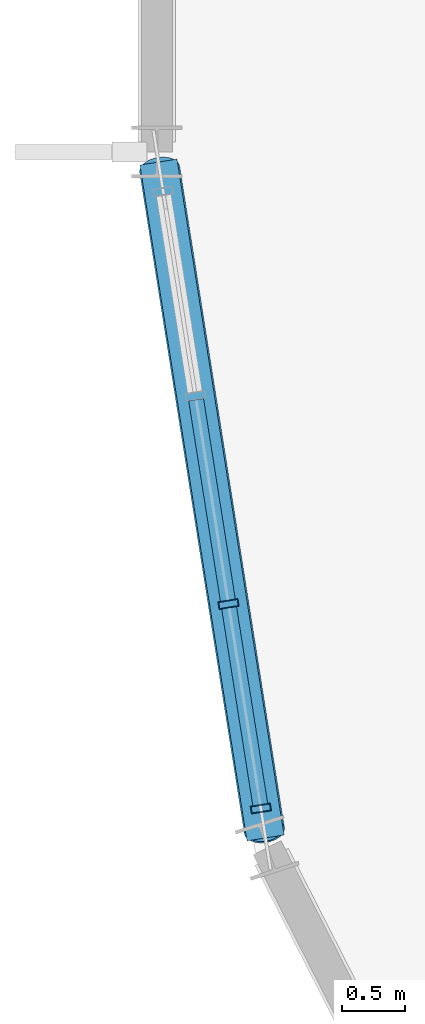
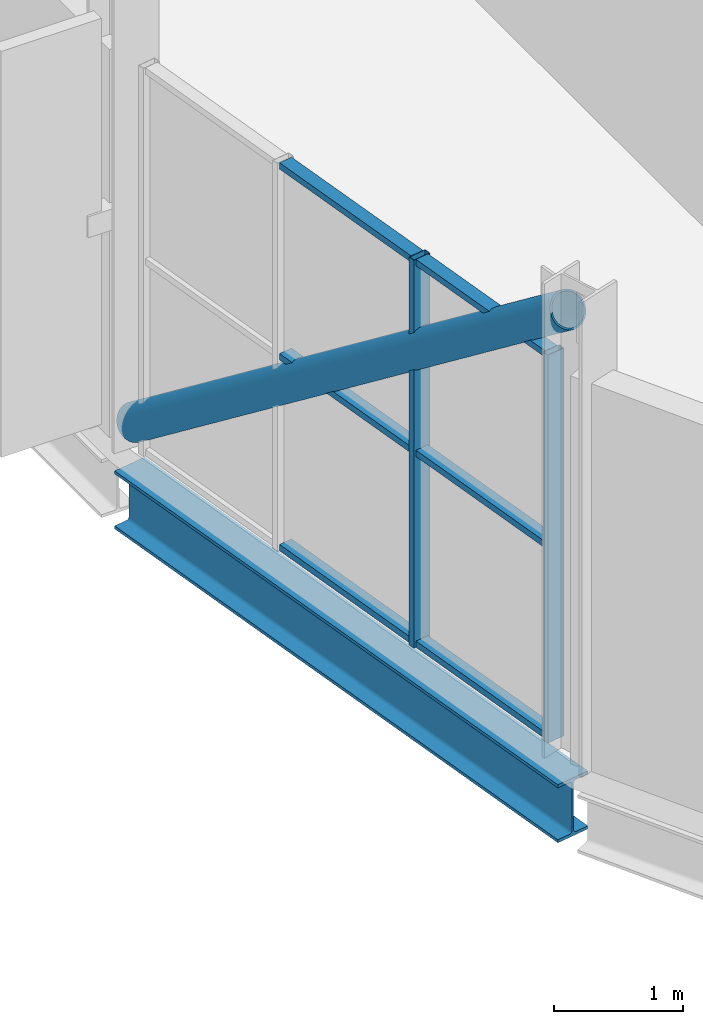
# One storey, part 4 of 22: 9 members, 1 beam, 1 element without a shape of its own.
"""IFC4 building model written with IfcOpenShell, lengths in metres."""

from ifc_helpers import new_model, si_unit, direction, frame, origin, origin_2d, place, context, subcontext, project, spatial, hollow_rectangle, hollow_circle, i_section, extrude, material, layer, layer_set, material_profile, profile_set, type_object, element, aggregate, save


model = new_model("IFC4")

# Units and contexts
model_context = context("Model", 3, precision=1e-05, world=origin(), true_north=direction((0.0, 1.0)))
body_context = subcontext(model_context, "Body", "Model", "MODEL_VIEW")
ifc_project = project(units=[si_unit("LENGTHUNIT", "METRE"), si_unit("AREAUNIT", "SQUARE_METRE"), si_unit("VOLUMEUNIT", "CUBIC_METRE"), si_unit("PLANEANGLEUNIT", "RADIAN"), si_unit("MASSUNIT", "GRAM", prefix="KILO")], contexts=[model_context])

# Site, building, storey
site_placement = place(None, origin())
site = spatial("IfcSite", under=ifc_project, at=site_placement, CompositionType="ELEMENT")
building_placement = place(site_placement, origin())
building = spatial("IfcBuilding", under=site, at=building_placement, Name="Solnavia Interchange Tower", CompositionType="ELEMENT")
storey_placement = place(building_placement, frame((0.0, 0.0, 308.699951171875)))
storey = spatial("IfcBuildingStorey", under=building, at=storey_placement, Name="C02", CompositionType="ELEMENT", Elevation=308.699951171875)

# Curtain wall, members
ifc_material_1 = material(Name="Aluminium Alloy 6063-T6", Category="aluminium")
ifc_layer = layer(ifc_material_1, 0.179931640625)
ifc_layer_set = layer_set([ifc_layer], Name="Aluminium Alloy 6063-T6")
curtain_wall_type = type_object("IfcCurtainWallType", Name="CurtainWall-Crown-CTW6", PredefinedType="NOTDEFINED", material=ifc_layer_set)
curtain_wall_placement = place(storey_placement, origin())
curtain_wall = element("IfcCurtainWall", 1, at=curtain_wall_placement, inside=storey, type_object=curtain_wall_type, Name="CTW-C02-R09 CTW-6 curtain wall", PredefinedType="NOTDEFINED")
ifc_material_profile_1 = material_profile(ifc_material_1, hollow_rectangle(XDim=0.06005859375, YDim=0.159912109375, WallThickness=0.00390625, at=origin_2d()), Name="ALU 160x60x4")
ifc_profile_set_1 = profile_set([ifc_material_profile_1], Name="Aluminium Alloy 6063-T6")
member_type_1 = type_object("IfcMemberType", Name="CW-Mullion-CWM-6", PredefinedType="MULLION", material=ifc_profile_set_1)
member_1_placement = place(storey_placement, frame((7.772216796875, 17.987060546875, 0.0), z_axis=(0.0, 0.0, 1.0), x_axis=(0.156456312485, -0.987684880052, 0.0)))
member_1 = element("IfcMember", 2, at=member_1_placement, type_object=member_type_1, Name="CTW-6 mullion 3", PredefinedType="MULLION", context=body_context, shape_type="SweptSolid", body=[
    extrude(hollow_rectangle(XDim=0.06005859375, YDim=0.159912109375, WallThickness=0.00390625, at=origin_2d()), origin(), (0.0, 0.0, 1.0), 3.679931640625),
])
member_2_placement = place(storey_placement, frame((8.03125, 16.3525390625, 0.0), z_axis=(0.0, 0.0, 1.0), x_axis=(0.156456312485, -0.987684880052, 0.0)))
member_2 = element("IfcMember", 3, at=member_2_placement, type_object=member_type_1, Name="CTW-6 mullion 4", PredefinedType="MULLION", context=body_context, shape_type="SweptSolid", body=[
    extrude(hollow_rectangle(XDim=0.06005859375, YDim=0.159912109375, WallThickness=0.00390625, at=origin_2d()), origin(), (0.0, 0.0, 1.0), 3.679931640625),
])
ifc_material_profile_2 = material_profile(ifc_material_1, hollow_rectangle(XDim=0.06005859375, YDim=0.1201171875, WallThickness=0.00390625, at=origin_2d()), Name="ALU 120x60x4")
ifc_profile_set_2 = profile_set([ifc_material_profile_2], Name="Aluminium Alloy 6063-T6")
member_type_2 = type_object("IfcMemberType", Name="CW-Transom-CWT-6", PredefinedType="USERDEFINED", material=ifc_profile_set_2)
member_3_placement = place(storey_placement, frame((7.513427734375, 19.621337890625, 0.030029296875), z_axis=(0.15642553401, -0.98768975509, 0.0), x_axis=(0.0, 0.0, 1.0)))
member_3 = element("IfcMember", 4, at=member_3_placement, type_object=member_type_2, Name="CTW-6 transom 2.1", ObjectType="TRANSOM", PredefinedType="USERDEFINED", context=body_context, shape_type="SweptSolid", body=[
    extrude(hollow_rectangle(XDim=0.06005859375, YDim=0.1201171875, WallThickness=0.00390625, at=origin_2d()), origin(), (0.0, 0.0, 1.0), 1.624755859375),
])
member_4_placement = place(storey_placement, frame((7.513427734375, 19.621337890625, 1.840087890625), z_axis=(0.15642553401, -0.98768975509, 0.0), x_axis=(0.0, 0.0, 1.0)))
member_4 = element("IfcMember", 5, at=member_4_placement, type_object=member_type_2, Name="CTW-6 transom 2.2", ObjectType="TRANSOM", PredefinedType="USERDEFINED", context=body_context, shape_type="SweptSolid", body=[
    extrude(hollow_rectangle(XDim=0.06005859375, YDim=0.1201171875, WallThickness=0.00390625, at=origin_2d()), origin(), (0.0, 0.0, 1.0), 1.624755859375),
])
member_5_placement = place(storey_placement, frame((7.513427734375, 19.621337890625, 3.650146484375), z_axis=(0.15642553401, -0.98768975509, 0.0), x_axis=(0.0, 0.0, 1.0)))
member_5 = element("IfcMember", 6, at=member_5_placement, type_object=member_type_2, Name="CTW-6 transom 2.3", ObjectType="TRANSOM", PredefinedType="USERDEFINED", context=body_context, shape_type="SweptSolid", body=[
    extrude(hollow_rectangle(XDim=0.06005859375, YDim=0.1201171875, WallThickness=0.00390625, at=origin_2d()), origin(), (0.0, 0.0, 1.0), 1.624755859375),
])
member_6_placement = place(storey_placement, frame((7.777099609375, 17.957275390625, 0.030029296875), z_axis=(0.156449934884, -0.987685890288, 0.0), x_axis=(0.0, 0.0, 1.0)))
member_6 = element("IfcMember", 7, at=member_6_placement, type_object=member_type_2, Name="CTW-6 transom 3.1", ObjectType="TRANSOM", PredefinedType="USERDEFINED", context=body_context, shape_type="SweptSolid", body=[
    extrude(hollow_rectangle(XDim=0.06005859375, YDim=0.1201171875, WallThickness=0.00390625, at=origin_2d()), origin(), (0.0, 0.0, 1.0), 1.5947265625),
])
member_7_placement = place(storey_placement, frame((7.777099609375, 17.957275390625, 1.840087890625), z_axis=(0.156449934884, -0.987685890288, 0.0), x_axis=(0.0, 0.0, 1.0)))
member_7 = element("IfcMember", 8, at=member_7_placement, type_object=member_type_2, Name="CTW-6 transom 3.2", ObjectType="TRANSOM", PredefinedType="USERDEFINED", context=body_context, shape_type="SweptSolid", body=[
    extrude(hollow_rectangle(XDim=0.06005859375, YDim=0.1201171875, WallThickness=0.00390625, at=origin_2d()), origin(), (0.0, 0.0, 1.0), 1.5947265625),
])
member_8_placement = place(storey_placement, frame((7.777099609375, 17.957275390625, 3.650146484375), z_axis=(0.156449934884, -0.987685890288, 0.0), x_axis=(0.0, 0.0, 1.0)))
member_8 = element("IfcMember", 9, at=member_8_placement, type_object=member_type_2, Name="CTW-6 transom 3.3", ObjectType="TRANSOM", PredefinedType="USERDEFINED", context=body_context, shape_type="SweptSolid", body=[
    extrude(hollow_rectangle(XDim=0.06005859375, YDim=0.1201171875, WallThickness=0.00390625, at=origin_2d()), origin(), (0.0, 0.0, 1.0), 1.5947265625),
])
aggregate(curtain_wall, [member_1, member_2, member_3, member_4, member_5, member_6, member_7, member_8])

# Member
ifc_material_2 = material(Name="Steel S355", Category="steel")
ifc_material_profile_3 = material_profile(ifc_material_2, hollow_circle(Radius=0.161865234375, WallThickness=0.01611328125, at=origin_2d()), Name="CHS 323.9x16")
ifc_profile_set_3 = profile_set([ifc_material_profile_3], Name="Steel S355")
member_type_3 = type_object("IfcMemberType", Name="CrownFrame-Brace-CHS323", PredefinedType="BRACE", material=ifc_profile_set_3)
member_9_placement = place(storey_placement, frame((7.221923828125, 21.461669921875, 0.179931640625), z_axis=(0.125525677174, -0.792506673995, 0.596805224544), x_axis=(0.987687387175, 0.156440484578, 0.0)))
element("IfcMember", 10, at=member_9_placement, inside=storey, type_object=member_type_3, Name="BRC-C02-CF09 CROWN FRAME ring brace", PredefinedType="BRACE", context=body_context, shape_type="SweptSolid", body=[
    extrude(hollow_circle(Radius=0.161865234375, WallThickness=0.01611328125, at=origin_2d()), origin(), (0.0, 0.0, 1.0), 6.669189453125),
])

# Beam
ifc_material_3 = material(Name="Steel S460", Category="steel")
ifc_material_profile_4 = material_profile(ifc_material_3, i_section(OverallWidth=0.300048828125, OverallDepth=0.550048828125, WebThickness=0.014892578125, FlangeThickness=0.029052734375, FilletRadius=0.027099609375, at=origin_2d()), Name="HEB 550")
ifc_profile_set_4 = profile_set([ifc_material_profile_4], Name="Steel S460")
beam_type = type_object("IfcBeamType", Name="CrownFrame-Ring-HEB550", PredefinedType="BEAM", material=ifc_profile_set_4)
beam_placement = place(storey_placement, frame((7.21240234375, 21.52099609375, -0.52490234375), z_axis=(0.156484976244, -0.987680339082, 0.0), x_axis=(0.987680339082, 0.156484976244, 0.0)))
element("IfcBeam", 11, at=beam_placement, inside=storey, type_object=beam_type, Name="GRD-C02-CR09 CROWN FRAME outer collar ring beam", PredefinedType="BEAM", context=body_context, shape_type="SweptSolid", body=[
    extrude(i_section(OverallWidth=0.300048828125, OverallDepth=0.550048828125, WebThickness=0.014892578125, FlangeThickness=0.029052734375, FilletRadius=0.027099609375, at=origin_2d()), origin(), (0.0, 0.0, 1.0), 5.471435546875),
])

save(model, "model.ifc")
